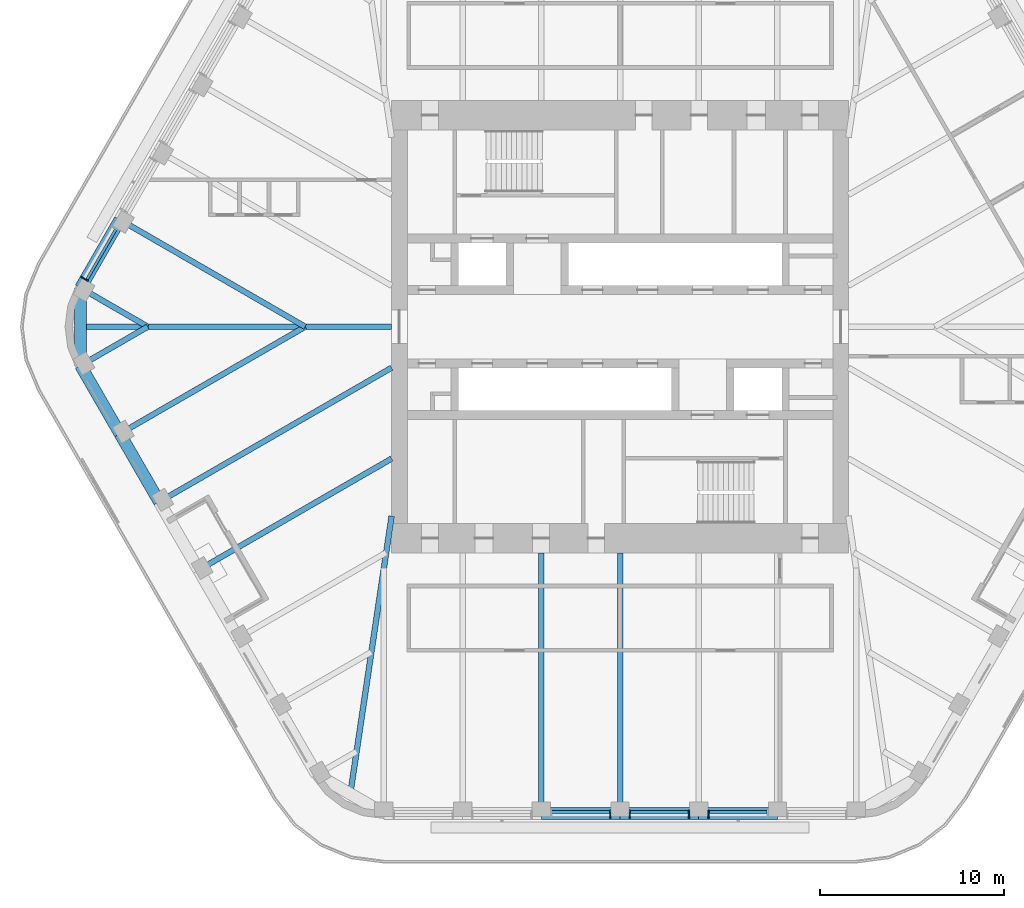
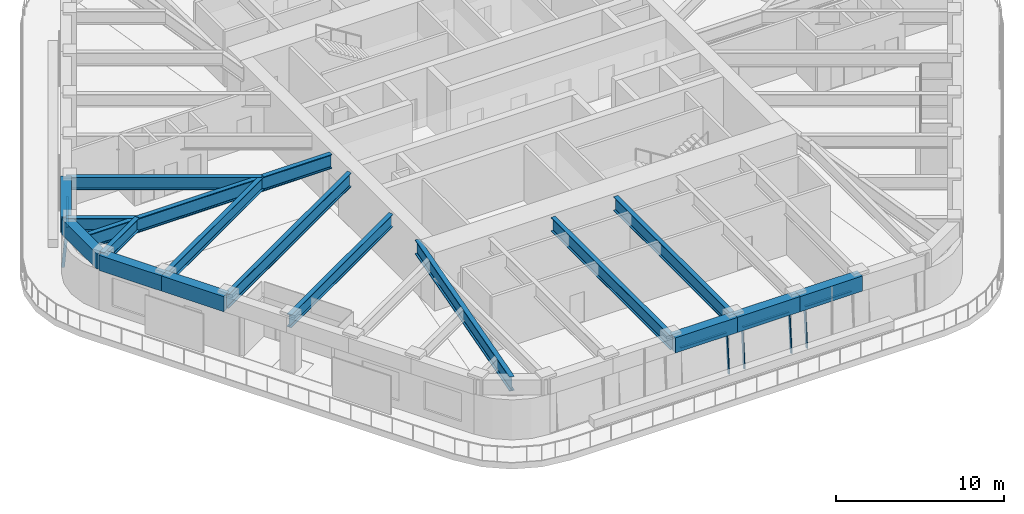
# One storey, part 3 of 19: 17 beams, 9 members, 4 elements without a shape of their own.
"""IFC4 building model written with IfcOpenShell, lengths in metres."""

from ifc_helpers import new_model, si_unit, direction, frame, origin, origin_2d, place, context, subcontext, project, spatial, rectangle, i_section, extrude, material, material_profile, profile_set, type_object, element, aggregate, save


model = new_model("IFC4")

# Units and contexts
model_context = context("Model", 3, precision=1e-05, world=origin(), true_north=direction((0.0, 1.0)))
body_context = subcontext(model_context, "Body", "Model", "MODEL_VIEW")
ifc_project = project(units=[si_unit("LENGTHUNIT", "METRE"), si_unit("AREAUNIT", "SQUARE_METRE"), si_unit("VOLUMEUNIT", "CUBIC_METRE"), si_unit("PLANEANGLEUNIT", "RADIAN"), si_unit("MASSUNIT", "GRAM", prefix="KILO")], contexts=[model_context])

# Site, building, storey
site_placement = place(None, origin())
site = spatial("IfcSite", under=ifc_project, at=site_placement, CompositionType="ELEMENT")
building_placement = place(site_placement, origin())
building = spatial("IfcBuilding", under=site, at=building_placement, Name="Tarfa Lantern Tower", CompositionType="ELEMENT")
storey_placement = place(building_placement, frame((0.0, 0.0, 340.89990234375)))
storey = spatial("IfcBuildingStorey", under=building, at=storey_placement, Name="L77", CompositionType="ELEMENT", Elevation=340.89990234375)

# Curtain wall, member
ifc_material_1 = material(Name="Aluminium framed curtain wall", Category="aluminium")
curtain_wall_type = type_object("IfcCurtainWallType", Name="CW4 CANTED GLAZING EXECUTIVE ZONE 2900", PredefinedType="USERDEFINED", material=ifc_material_1)
curtain_wall_1_placement = place(storey_placement, origin())
curtain_wall_1 = element("IfcCurtainWall", 1, at=curtain_wall_1_placement, inside=storey, type_object=curtain_wall_type, Name="CW4 NW L77", ObjectType="CURTAIN WALL", PredefinedType="USERDEFINED")
ifc_material_2 = material(Name="Aluminium mullion", Category="aluminium")
ifc_material_profile_1 = material_profile(ifc_material_2, rectangle(XDim=0.06494140625, YDim=0.199951171875, at=origin_2d()), Name="AL MULLION 65x200")
ifc_profile_set_1 = profile_set([ifc_material_profile_1], Name="Aluminium mullion")
member_type_1 = type_object("IfcMemberType", Name="CWM1 MULLION 65x200", PredefinedType="MULLION", material=ifc_profile_set_1)
member_1_placement = place(storey_placement, frame((-29.236328125, 2.6611328125, 0.0), z_axis=(0.074393603155, -0.042941967097, 0.996303959277), x_axis=(0.499919672301, 0.866071776036, 0.0)))
member_1 = element("IfcMember", 2, at=member_1_placement, type_object=member_type_1, Name="CW4 mullion 2", PredefinedType="MULLION", context=body_context, shape_type="SweptSolid", body=[
    extrude(rectangle(XDim=0.06494140625, YDim=0.199951171875, at=origin_2d()), origin(), (0.0, 0.0, 1.0), 2.910888671875),
])

curtain_wall_2_placement = place(storey_placement, origin())
curtain_wall_2 = element("IfcCurtainWall", 3, at=curtain_wall_2_placement, inside=storey, type_object=curtain_wall_type, Name="CW4 S L77", ObjectType="CURTAIN WALL", PredefinedType="USERDEFINED")
member_2_placement = place(storey_placement, frame((-0.532470703125, -26.64990234375, 0.0), z_axis=(0.0, 0.085884035992, 0.996305140186), x_axis=(-1.0, 0.0, 0.0)))
member_2 = element("IfcMember", 4, at=member_2_placement, type_object=member_type_1, Name="CW4 mullion 2", PredefinedType="MULLION", context=body_context, shape_type="SweptSolid", body=[
    extrude(rectangle(XDim=0.06494140625, YDim=0.199951171875, at=origin_2d()), origin(), (0.0, 0.0, 1.0), 2.910888671875),
])

# Curtain wall, members
curtain_wall_3_placement = place(storey_placement, origin())
curtain_wall_3 = element("IfcCurtainWall", 5, at=curtain_wall_3_placement, inside=storey, type_object=curtain_wall_type, Name="CW4 S L77", ObjectType="CURTAIN WALL", PredefinedType="USERDEFINED")
member_3_placement = place(storey_placement, frame((0.532470703125, -26.64990234375, 0.0), z_axis=(0.0, 0.085884035992, 0.996305140186), x_axis=(-1.0, 0.0, 0.0)))
member_3 = element("IfcMember", 6, at=member_3_placement, type_object=member_type_1, Name="CW4 mullion 1", PredefinedType="MULLION", context=body_context, shape_type="SweptSolid", body=[
    extrude(rectangle(XDim=0.06494140625, YDim=0.199951171875, at=origin_2d()), origin(), (0.0, 0.0, 1.0), 2.910888671875),
])
member_4_placement = place(storey_placement, frame((3.74951171875, -26.64990234375, 0.0), z_axis=(0.0, 0.085884035992, 0.996305140186), x_axis=(-1.0, 0.0, 0.0)))
member_4 = element("IfcMember", 7, at=member_4_placement, type_object=member_type_1, Name="CW4 mullion 2", PredefinedType="MULLION", context=body_context, shape_type="SweptSolid", body=[
    extrude(rectangle(XDim=0.06494140625, YDim=0.199951171875, at=origin_2d()), origin(), (0.0, 0.0, 1.0), 2.910888671875),
])

# Curtain wall, member
curtain_wall_4_placement = place(storey_placement, origin())
curtain_wall_4 = element("IfcCurtainWall", 8, at=curtain_wall_4_placement, inside=storey, type_object=curtain_wall_type, Name="CW4 S L77", ObjectType="CURTAIN WALL", PredefinedType="USERDEFINED")
member_5_placement = place(storey_placement, frame((4.814453125, -26.64990234375, 0.0), z_axis=(0.0, 0.085884035992, 0.996305140186), x_axis=(-1.0, 0.0, 0.0)))
member_5 = element("IfcMember", 9, at=member_5_placement, type_object=member_type_1, Name="CW4 mullion 1", PredefinedType="MULLION", context=body_context, shape_type="SweptSolid", body=[
    extrude(rectangle(XDim=0.06494140625, YDim=0.199951171875, at=origin_2d()), origin(), (0.0, 0.0, 1.0), 2.910888671875),
])

# Member
ifc_material_3 = material(Name="Aluminium transom", Category="aluminium")
ifc_material_profile_2 = material_profile(ifc_material_3, rectangle(XDim=0.14990234375, YDim=0.06494140625, at=origin_2d()), Name="AL TRANSOM 150x65")
ifc_profile_set_2 = profile_set([ifc_material_profile_2], Name="Aluminium transom")
member_type_2 = type_object("IfcMemberType", Name="CWT1 TRANSOM 150x65", PredefinedType="USERDEFINED", material=ifc_profile_set_2)
member_6_placement = place(storey_placement, frame((-27.429931640625, 5.29541015625, 2.86767578125), z_axis=(-0.500037562771, -0.866003715822, 0.0), x_axis=(0.866003715822, -0.500037562771, 0.0)))
member_6 = element("IfcMember", 10, at=member_6_placement, type_object=member_type_2, Name="CW4 transom 1.2", ObjectType="TRANSOM", PredefinedType="USERDEFINED", context=body_context, shape_type="SweptSolid", body=[
    extrude(rectangle(XDim=0.14990234375, YDim=0.06494140625, at=origin_2d()), origin(), (0.0, 0.0, 1.0), 3.152099609375),
])

aggregate(curtain_wall_1, [member_1, member_6])

member_7_placement = place(storey_placement, frame((-3.717041015625, -26.40283203125, 2.86767578125), z_axis=(1.0, 0.0, 0.0), x_axis=(0.0, 1.0, 0.0)))
member_7 = element("IfcMember", 11, at=member_7_placement, type_object=member_type_2, Name="CW4 transom 1.2", ObjectType="TRANSOM", PredefinedType="USERDEFINED", context=body_context, shape_type="SweptSolid", body=[
    extrude(rectangle(XDim=0.14990234375, YDim=0.06494140625, at=origin_2d()), origin(), (0.0, 0.0, 1.0), 3.152099609375),
])

aggregate(curtain_wall_2, [member_2, member_7])

member_8_placement = place(storey_placement, frame((0.56494140625, -26.40283203125, 2.86767578125), z_axis=(1.0, 0.0, 0.0), x_axis=(0.0, 1.0, 0.0)))
member_8 = element("IfcMember", 12, at=member_8_placement, type_object=member_type_2, Name="CW4 transom 1.2", ObjectType="TRANSOM", PredefinedType="USERDEFINED", context=body_context, shape_type="SweptSolid", body=[
    extrude(rectangle(XDim=0.14990234375, YDim=0.06494140625, at=origin_2d()), origin(), (0.0, 0.0, 1.0), 3.152099609375),
])

aggregate(curtain_wall_3, [member_3, member_4, member_8])

member_9_placement = place(storey_placement, frame((4.846923828125, -26.40283203125, 2.86767578125), z_axis=(1.0, 0.0, 0.0), x_axis=(0.0, 1.0, 0.0)))
member_9 = element("IfcMember", 13, at=member_9_placement, type_object=member_type_2, Name="CW4 transom 1.2", ObjectType="TRANSOM", PredefinedType="USERDEFINED", context=body_context, shape_type="SweptSolid", body=[
    extrude(rectangle(XDim=0.14990234375, YDim=0.06494140625, at=origin_2d()), origin(), (0.0, 0.0, 1.0), 3.152099609375),
])

aggregate(curtain_wall_4, [member_5, member_9])

# Beams
ifc_material_4 = material(Name="Concrete C80/95", Category="concrete")
ifc_material_profile_3 = material_profile(ifc_material_4, rectangle(XDim=0.64990234375, YDim=1.10009765625, at=origin_2d()), Name="RC 650x1100")
ifc_profile_set_3 = profile_set([ifc_material_profile_3], Name="Concrete C80/95")
beam_type_1 = type_object("IfcBeamType", Name="EB4 RC 650x1100", PredefinedType="SPANDREL", material=ifc_profile_set_3)
beam_1_placement = place(storey_placement, frame((-27.205810546875, 5.818359375, 3.4501953125), z_axis=(-0.499984039138, -0.866034618596, 0.0), x_axis=(0.866034618596, -0.499984039138, 0.0)))
element("IfcBeam", 14, at=beam_1_placement, inside=storey, type_object=beam_type_1, Name="Edge beam NW5", PredefinedType="SPANDREL", context=body_context, shape_type="SweptSolid", body=[
    extrude(rectangle(XDim=0.64990234375, YDim=1.10009765625, at=origin_2d()), origin(), (0.0, 0.0, 1.0), 4.281982421875),
])
beam_2_placement = place(storey_placement, frame((-29.3466796875, 2.110107421875, 3.4501953125), z_axis=(0.0, -1.0, 0.0), x_axis=(1.0, 0.0, 0.0)))
element("IfcBeam", 15, at=beam_2_placement, inside=storey, type_object=beam_type_1, Name="Edge beam NW6", PredefinedType="SPANDREL", context=body_context, shape_type="SweptSolid", body=[
    extrude(rectangle(XDim=0.64990234375, YDim=1.10009765625, at=origin_2d()), origin(), (0.0, 0.0, 1.0), 4.22021484375),
])
for number, where, z_axis, x_axis, name in (
    (16, (-29.3466796875, -2.110107421875, 3.4501953125), (0.499984039138, -0.866034618596, 0.0), (0.866034618596, 0.499984039138, 0.0), "Edge beam SW0"),
    (17, (-27.205810546875, -5.818359375, 3.4501953125), (0.500026801138, -0.866009929587, 0.0), (0.866009929587, 0.500026801138, 0.0), "Edge beam SW1"),
    (18, (-4.281982421875, -26.469970703125, 3.4501953125), (1.0, 0.0, 0.0), (0.0, 1.0, 0.0), "Edge beam S2"),
    (19, (0.0, -26.469970703125, 3.4501953125), (1.0, 0.0, 0.0), (0.0, 1.0, 0.0), "Edge beam S3"),
    (20, (4.281982421875, -26.469970703125, 3.4501953125), (1.0, 0.0, 0.0), (0.0, 1.0, 0.0), "Edge beam S4"),
):
    element("IfcBeam", number, at=place(storey_placement, frame(where, z_axis=z_axis, x_axis=x_axis)), inside=storey, type_object=beam_type_1, Name=name, PredefinedType="SPANDREL", context=body_context, shape_type="SweptSolid", body=[
        extrude(rectangle(XDim=0.64990234375, YDim=1.10009765625, at=origin_2d()), origin(), (0.0, 0.0, 1.0), 4.281982421875),
    ])
ifc_material_5 = material(Name="Steel S460M", Category="steel")
ifc_material_profile_4 = material_profile(ifc_material_5, i_section(OverallWidth=0.302001953125, OverallDepth=1.008056640625, WebThickness=0.02099609375, FlangeThickness=0.0400390625, FilletRadius=0.030029296875, at=origin_2d()), Name="UB1016x305x349")
ifc_profile_set_4 = profile_set([ifc_material_profile_4], Name="Steel S460M")
beam_type_2 = type_object("IfcBeamType", Name="UB1016x305x349", PredefinedType="BEAM", material=ifc_profile_set_4)
beam_3_placement = place(storey_placement, frame((-25.064697265625, -9.526611328125, 3.49609375), z_axis=(0.866029591389, 0.499992746786, 0.0), x_axis=(-0.499992746786, 0.866029591389, 0.0)))
element("IfcBeam", 21, at=beam_3_placement, inside=storey, type_object=beam_type_2, Name="Floor beam SW2", PredefinedType="BEAM", context=body_context, shape_type="SweptSolid", body=[
    extrude(i_section(OverallWidth=0.302001953125, OverallDepth=1.008056640625, WebThickness=0.02099609375, FlangeThickness=0.0400390625, FilletRadius=0.030029296875, at=origin_2d()), origin(), (0.0, 0.0, 1.0), 14.594970703125),
])
for number, where, z_axis, x_axis, name in (
    (22, (-4.281982421875, -26.469970703125, 3.49609375), (0.0, 1.0, 0.0), (-1.0, 0.0, 0.0), "Floor beam S2"),
    (23, (0.0, -26.469970703125, 3.49609375), (0.0, 1.0, 0.0), (-1.0, 0.0, 0.0), "Floor beam S3"),
):
    element("IfcBeam", number, at=place(storey_placement, frame(where, z_axis=z_axis, x_axis=x_axis)), inside=storey, type_object=beam_type_2, Name=name, PredefinedType="BEAM", context=body_context, shape_type="SweptSolid", body=[
        extrude(i_section(OverallWidth=0.302001953125, OverallDepth=1.008056640625, WebThickness=0.02099609375, FlangeThickness=0.0400390625, FilletRadius=0.030029296875, at=origin_2d()), origin(), (0.0, 0.0, 1.0), 14.169921875),
    ])
ifc_material_profile_5 = material_profile(ifc_material_5, i_section(OverallWidth=0.30859375, OverallDepth=1.036376953125, WebThickness=0.030029296875, FlangeThickness=0.05419921875, FilletRadius=0.030029296875, at=origin_2d()), Name="UB1016x305x487")
ifc_profile_set_5 = profile_set([ifc_material_profile_5], Name="Steel S460M")
beam_type_3 = type_object("IfcBeamType", Name="UB1016x305x487", PredefinedType="BEAM", material=ifc_profile_set_5)
beam_4_placement = place(storey_placement, frame((-12.425048828125, 0.0, 3.48193359375), z_axis=(-1.0, 0.0, 0.0), x_axis=(0.0, -1.0, 0.0)))
element("IfcBeam", 24, at=beam_4_placement, inside=storey, type_object=beam_type_3, Name="Hip girder W", PredefinedType="BEAM", context=body_context, shape_type="SweptSolid", body=[
    extrude(i_section(OverallWidth=0.30859375, OverallDepth=1.036376953125, WebThickness=0.030029296875, FlangeThickness=0.05419921875, FilletRadius=0.030029296875, at=origin_2d()), origin(), (0.0, 0.0, 1.0), 16.921630859375),
])
beam_5_placement = place(storey_placement, frame((-12.425048828125, -10.300048828125, 3.48193359375), z_axis=(-0.147127069073, -0.989117599452, 0.0), x_axis=(0.989117599452, -0.147127069073, 0.0)))
element("IfcBeam", 25, at=beam_5_placement, inside=storey, type_object=beam_type_3, Name="Hip girder SW", PredefinedType="BEAM", context=body_context, shape_type="SweptSolid", body=[
    extrude(i_section(OverallWidth=0.30859375, OverallDepth=1.036376953125, WebThickness=0.030029296875, FlangeThickness=0.05419921875, FilletRadius=0.030029296875, at=origin_2d()), origin(), (0.0, 0.0, 1.0), 15.28125),
])
ifc_material_profile_6 = material_profile(ifc_material_5, i_section(OverallWidth=0.305419921875, OverallDepth=0.91845703125, WebThickness=0.017333984375, FlangeThickness=0.02783203125, FilletRadius=0.01904296875, at=origin_2d()), Name="UB914x305x253")
ifc_profile_set_6 = profile_set([ifc_material_profile_6], Name="Steel S460M")
beam_type_4 = type_object("IfcBeamType", Name="UB914x305x253", PredefinedType="BEAM", material=ifc_profile_set_6)
beam_6_placement = place(storey_placement, frame((-27.205810546875, 5.818359375, 3.541015625), z_axis=(0.866024171998, -0.500002133511, 0.0), x_axis=(0.500002133511, 0.866024171998, 0.0)))
element("IfcBeam", 26, at=beam_6_placement, inside=storey, type_object=beam_type_4, Name="Floor beam NW5", PredefinedType="BEAM", context=body_context, shape_type="SweptSolid", body=[
    extrude(i_section(OverallWidth=0.305419921875, OverallDepth=0.91845703125, WebThickness=0.017333984375, FlangeThickness=0.02783203125, FilletRadius=0.01904296875, at=origin_2d()), origin(), (0.0, 0.0, 1.0), 11.63671875),
])
for number, where, z_axis, x_axis, name in (
    (27, (-29.3466796875, 2.110107421875, 3.541015625), (0.866009274789, -0.500027935199, 0.0), (0.500027935199, 0.866009274789, 0.0), "Floor beam NW6"),
    (28, (-29.3466796875, -2.110107421875, 3.541015625), (0.866009274789, 0.500027935199, 0.0), (-0.500027935199, 0.866009274789, 0.0), "Floor beam SW0"),
):
    element("IfcBeam", number, at=place(storey_placement, frame(where, z_axis=z_axis, x_axis=x_axis)), inside=storey, type_object=beam_type_4, Name=name, PredefinedType="BEAM", context=body_context, shape_type="SweptSolid", body=[
        extrude(i_section(OverallWidth=0.305419921875, OverallDepth=0.91845703125, WebThickness=0.017333984375, FlangeThickness=0.02783203125, FilletRadius=0.01904296875, at=origin_2d()), origin(), (0.0, 0.0, 1.0), 4.219970703125),
    ])
beam_7_placement = place(storey_placement, frame((-27.205810546875, -5.818359375, 3.541015625), z_axis=(0.866024171998, 0.500002133511, 0.0), x_axis=(-0.500002133511, 0.866024171998, 0.0)))
element("IfcBeam", 29, at=beam_7_placement, inside=storey, type_object=beam_type_4, Name="Floor beam SW1", PredefinedType="BEAM", context=body_context, shape_type="SweptSolid", body=[
    extrude(i_section(OverallWidth=0.305419921875, OverallDepth=0.91845703125, WebThickness=0.017333984375, FlangeThickness=0.02783203125, FilletRadius=0.01904296875, at=origin_2d()), origin(), (0.0, 0.0, 1.0), 11.63671875),
])
beam_8_placement = place(storey_placement, frame((-22.923583984375, -13.235107421875, 3.541015625), z_axis=(0.86601856927, 0.500011837539, 0.0), x_axis=(-0.500011837539, 0.86601856927, 0.0)))
element("IfcBeam", 30, at=beam_8_placement, inside=storey, type_object=beam_type_4, Name="Floor beam SW3", PredefinedType="BEAM", context=body_context, shape_type="SweptSolid", body=[
    extrude(i_section(OverallWidth=0.305419921875, OverallDepth=0.91845703125, WebThickness=0.017333984375, FlangeThickness=0.02783203125, FilletRadius=0.01904296875, at=origin_2d()), origin(), (0.0, 0.0, 1.0), 12.122802734375),
])

save(model, "model.ifc")
